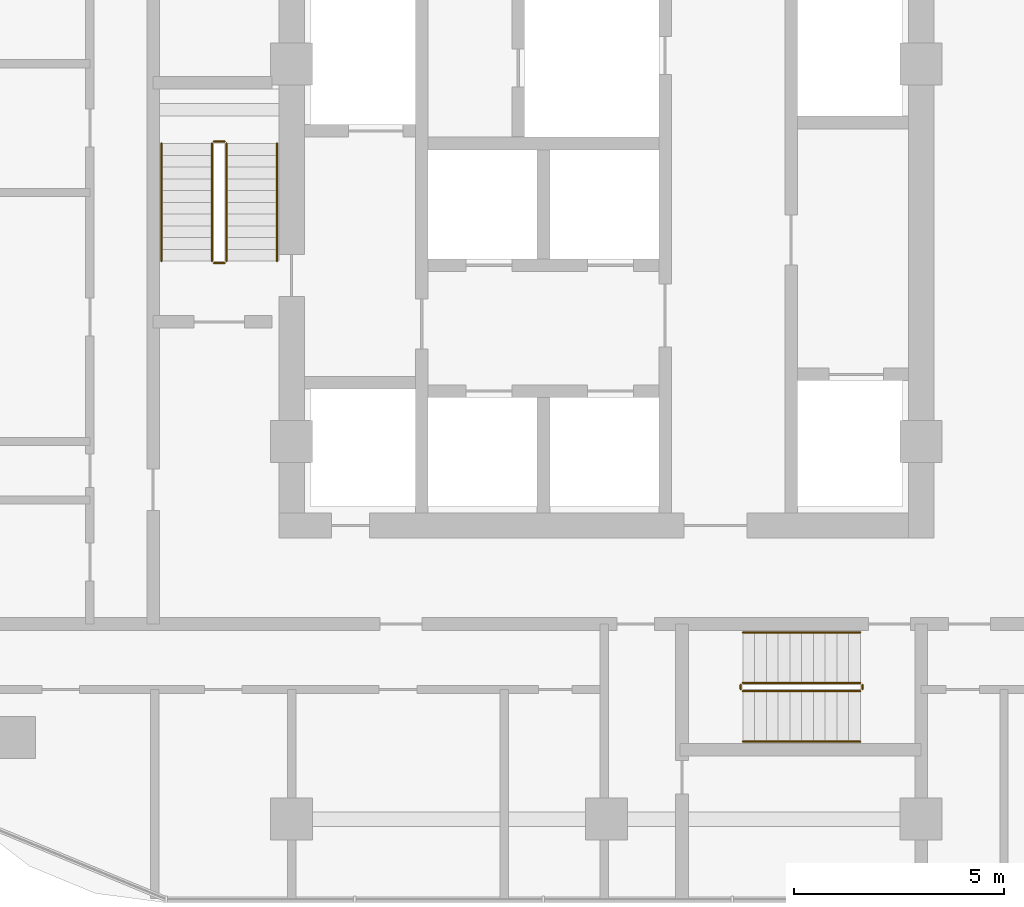
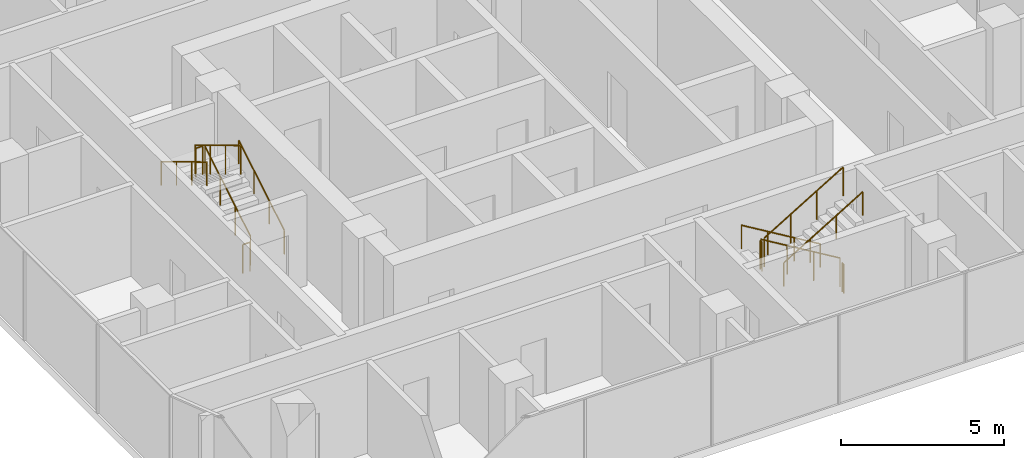
# One storey, part 32 of 32: 12 railings.
"""IFC4 building model written with IfcOpenShell, lengths in metres."""

from ifc_helpers import new_model, si_unit, direction, frame, origin, origin_2d, place, context, subcontext, project, spatial, circle, extrude, material, type_object, element, save


model = new_model("IFC4")

# Units and contexts
model_context = context("Model", 3, precision=1e-05, world=origin(), true_north=direction((0.0, 1.0)))
body_context = subcontext(model_context, "Body", "Model", "MODEL_VIEW")
ifc_project = project(units=[si_unit("LENGTHUNIT", "METRE"), si_unit("AREAUNIT", "SQUARE_METRE"), si_unit("VOLUMEUNIT", "CUBIC_METRE"), si_unit("PLANEANGLEUNIT", "RADIAN"), si_unit("MASSUNIT", "GRAM", prefix="KILO")], contexts=[model_context])

# Site, building, storey
site_placement = place(None, origin())
site = spatial("IfcSite", under=ifc_project, at=site_placement, CompositionType="ELEMENT")
building_placement = place(site_placement, origin())
building = spatial("IfcBuilding", under=site, at=building_placement, Name="Ogive Portal Towers", CompositionType="ELEMENT")
storey_placement = place(building_placement, frame((0.0, 0.0, 55.699951171875)))
storey = spatial("IfcBuildingStorey", under=building, at=storey_placement, Name="L12", CompositionType="ELEMENT", Elevation=55.699951171875)

# Railings
ifc_material_1 = material(Name="Stainless steel balustrade", Category="steel")
railing_type_1 = type_object("IfcRailingType", Name="INT-GUARD", PredefinedType="GUARDRAIL", material=ifc_material_1)
railing_1_placement = place(storey_placement, frame((127.449951171875, 30.800048828125, 0.168212890625)))
element("IfcRailing", 1, at=railing_1_placement, inside=storey, type_object=railing_type_1, Name="L12 ST-B1 stair guard 1", PredefinedType="GUARDRAIL", context=body_context, shape_type="SweptSolid", body=[
    extrude(circle(Radius=0.02392578125, at=origin_2d()), frame((0.0, 0.0, 1.076171875), z_axis=(0.0, 0.857242210791, 0.514913383045), x_axis=(-1.0, 0.0, 0.0)), (0.0, 0.0, 1.0), 3.266357421875),
    extrude(circle(Radius=0.02099609375, at=origin_2d()), origin(), (0.0, 0.0, 1.0), 1.052001953125),
    extrude(circle(Radius=0.02099609375, at=origin_2d()), frame((0.0, 0.933349609375, 0.560546875)), (0.0, 0.0, 1.0), 1.052001953125),
    extrude(circle(Radius=0.02099609375, at=origin_2d()), frame((0.0, 1.86669921875, 1.121337890625)), (0.0, 0.0, 1.0), 1.052001953125),
    extrude(circle(Radius=0.02099609375, at=origin_2d()), frame((0.0, 2.800048828125, 1.681884765625)), (0.0, 0.0, 1.0), 1.052001953125),
])
railing_2_placement = place(storey_placement, frame((127.39990234375, 33.64990234375, 1.85009765625)))
element("IfcRailing", 2, at=railing_2_placement, inside=storey, type_object=railing_type_1, Name="L12 ST-B1 stair guard 2", PredefinedType="GUARDRAIL", context=body_context, shape_type="SweptSolid", body=[
    extrude(circle(Radius=0.02392578125, at=origin_2d()), frame((0.0, 0.0, 1.076171875), z_axis=(-1.0, 0.0, 0.0), x_axis=(0.0, -1.0, 0.0)), (0.0, 0.0, 1.0), 0.25),
    extrude(circle(Radius=0.02099609375, at=origin_2d()), origin(), (0.0, 0.0, 1.0), 1.052001953125),
    extrude(circle(Radius=0.02099609375, at=origin_2d()), frame((-0.25, 0.0, 0.0)), (0.0, 0.0, 1.0), 1.052001953125),
])
railing_3_placement = place(storey_placement, frame((127.10009765625, 33.60009765625, 2.018310546875)))
element("IfcRailing", 3, at=railing_3_placement, inside=storey, type_object=railing_type_1, Name="L12 ST-B1 stair guard 3", PredefinedType="GUARDRAIL", context=body_context, shape_type="SweptSolid", body=[
    extrude(circle(Radius=0.02392578125, at=origin_2d()), frame((0.0, 0.0, 1.076171875), z_axis=(0.0, -0.857275202839, 0.514858452973), x_axis=(1.0, 0.0, 0.0)), (0.0, 0.0, 1.0), 3.26611328125),
    extrude(circle(Radius=0.02099609375, at=origin_2d()), origin(), (0.0, 0.0, 1.0), 1.052001953125),
    extrude(circle(Radius=0.02099609375, at=origin_2d()), frame((0.0, -0.933349609375, 0.560546875)), (0.0, 0.0, 1.0), 1.052001953125),
    extrude(circle(Radius=0.02099609375, at=origin_2d()), frame((0.0, -1.86669921875, 1.12109375)), (0.0, 0.0, 1.0), 1.052001953125),
    extrude(circle(Radius=0.02099609375, at=origin_2d()), frame((0.0, -2.800048828125, 1.681640625)), (0.0, 0.0, 1.0), 1.052001953125),
])
railing_4_placement = place(storey_placement, frame((127.39990234375, 30.75, 0.0)))
element("IfcRailing", 4, at=railing_4_placement, inside=storey, type_object=railing_type_1, Name="L12 ST-B1 stair guard 4", PredefinedType="GUARDRAIL", context=body_context, shape_type="SweptSolid", body=[
    extrude(circle(Radius=0.02392578125, at=origin_2d()), frame((0.0, 0.0, 1.076171875), z_axis=(-1.0, 0.0, 0.0), x_axis=(0.0, -1.0, 0.0)), (0.0, 0.0, 1.0), 0.25),
    extrude(circle(Radius=0.02099609375, at=origin_2d()), origin(), (0.0, 0.0, 1.0), 1.052001953125),
    extrude(circle(Radius=0.02099609375, at=origin_2d()), frame((-0.25, 0.0, 0.0)), (0.0, 0.0, 1.0), 1.052001953125),
])
railing_5_placement = place(storey_placement, frame((142.550048828125, 20.75, 0.168212890625)))
element("IfcRailing", 5, at=railing_5_placement, inside=storey, type_object=railing_type_1, Name="L12 ST-B2 stair guard 1", PredefinedType="GUARDRAIL", context=body_context, shape_type="SweptSolid", body=[
    extrude(circle(Radius=0.02392578125, at=origin_2d()), frame((0.0, 0.0, 1.076171875), z_axis=(-0.857242210791, 0.0, 0.514913383045), x_axis=(0.0, -1.0, 0.0)), (0.0, 0.0, 1.0), 3.266357421875),
    extrude(circle(Radius=0.02099609375, at=origin_2d()), origin(), (0.0, 0.0, 1.0), 1.052001953125),
    extrude(circle(Radius=0.02099609375, at=origin_2d()), frame((-0.933349609375, 0.0, 0.560546875)), (0.0, 0.0, 1.0), 1.052001953125),
    extrude(circle(Radius=0.02099609375, at=origin_2d()), frame((-1.86669921875, 0.0, 1.121337890625)), (0.0, 0.0, 1.0), 1.052001953125),
    extrude(circle(Radius=0.02099609375, at=origin_2d()), frame((-2.800048828125, 0.0, 1.681884765625)), (0.0, 0.0, 1.0), 1.052001953125),
])
railing_6_placement = place(storey_placement, frame((139.699951171875, 20.699951171875, 1.85009765625)))
element("IfcRailing", 6, at=railing_6_placement, inside=storey, type_object=railing_type_1, Name="L12 ST-B2 stair guard 2", PredefinedType="GUARDRAIL", context=body_context, shape_type="SweptSolid", body=[
    extrude(circle(Radius=0.02392578125, at=origin_2d()), frame((0.0, 0.0, 1.076171875), z_axis=(0.0, -1.0, 0.0), x_axis=(1.0, 0.0, 0.0)), (0.0, 0.0, 1.0), 0.099853515625),
    extrude(circle(Radius=0.02099609375, at=origin_2d()), origin(), (0.0, 0.0, 1.0), 1.052001953125),
    extrude(circle(Radius=0.02099609375, at=origin_2d()), frame((0.0, -0.099853515625, 0.0)), (0.0, 0.0, 1.0), 1.052001953125),
])
railing_7_placement = place(storey_placement, frame((139.75, 20.550048828125, 2.018310546875)))
element("IfcRailing", 7, at=railing_7_placement, inside=storey, type_object=railing_type_1, Name="L12 ST-B2 stair guard 3", PredefinedType="GUARDRAIL", context=body_context, shape_type="SweptSolid", body=[
    extrude(circle(Radius=0.02392578125, at=origin_2d()), frame((0.0, 0.0, 1.076171875), z_axis=(0.857275202839, 0.0, 0.514858452973), x_axis=(0.0, 1.0, 0.0)), (0.0, 0.0, 1.0), 3.26611328125),
    extrude(circle(Radius=0.02099609375, at=origin_2d()), origin(), (0.0, 0.0, 1.0), 1.052001953125),
    extrude(circle(Radius=0.02099609375, at=origin_2d()), frame((0.933349609375, 0.0, 0.560546875)), (0.0, 0.0, 1.0), 1.052001953125),
    extrude(circle(Radius=0.02099609375, at=origin_2d()), frame((1.86669921875, 0.0, 1.12109375)), (0.0, 0.0, 1.0), 1.052001953125),
    extrude(circle(Radius=0.02099609375, at=origin_2d()), frame((2.800048828125, 0.0, 1.681640625)), (0.0, 0.0, 1.0), 1.052001953125),
])
railing_8_placement = place(storey_placement, frame((142.60009765625, 20.699951171875, 0.0)))
element("IfcRailing", 8, at=railing_8_placement, inside=storey, type_object=railing_type_1, Name="L12 ST-B2 stair guard 4", PredefinedType="GUARDRAIL", context=body_context, shape_type="SweptSolid", body=[
    extrude(circle(Radius=0.02392578125, at=origin_2d()), frame((0.0, 0.0, 1.076171875), z_axis=(0.0, -1.0, 0.0), x_axis=(1.0, 0.0, 0.0)), (0.0, 0.0, 1.0), 0.099853515625),
    extrude(circle(Radius=0.02099609375, at=origin_2d()), origin(), (0.0, 0.0, 1.0), 1.052001953125),
    extrude(circle(Radius=0.02099609375, at=origin_2d()), frame((0.0, -0.099853515625, 0.0)), (0.0, 0.0, 1.0), 1.052001953125),
])
ifc_material_2 = material(Name="Stainless steel handrail", Category="steel")
railing_type_2 = type_object("IfcRailingType", Name="INT-HANDRAIL", PredefinedType="HANDRAIL", material=ifc_material_2)
railing_9_placement = place(storey_placement, frame((128.64990234375, 30.800048828125, 0.168212890625)))
element("IfcRailing", 9, at=railing_9_placement, inside=storey, type_object=railing_type_2, Name="L12 ST-B1 stair handrail 1", PredefinedType="HANDRAIL", context=body_context, shape_type="SweptSolid", body=[
    extrude(circle(Radius=0.02392578125, at=origin_2d()), frame((0.0, 0.0, 0.8759765625), z_axis=(0.0, 0.857242210791, 0.514913383045), x_axis=(-1.0, 0.0, 0.0)), (0.0, 0.0, 1.0), 3.266357421875),
    extrude(circle(Radius=0.02099609375, at=origin_2d()), origin(), (0.0, 0.0, 1.0), 0.851806640625),
    extrude(circle(Radius=0.02099609375, at=origin_2d()), frame((0.0, 0.933349609375, 0.560546875)), (0.0, 0.0, 1.0), 0.851806640625),
    extrude(circle(Radius=0.02099609375, at=origin_2d()), frame((0.0, 1.86669921875, 1.121337890625)), (0.0, 0.0, 1.0), 0.851806640625),
    extrude(circle(Radius=0.02099609375, at=origin_2d()), frame((0.0, 2.800048828125, 1.681884765625)), (0.0, 0.0, 1.0), 0.851806640625),
])
railing_10_placement = place(storey_placement, frame((125.89990234375, 33.60009765625, 2.018310546875)))
element("IfcRailing", 10, at=railing_10_placement, inside=storey, type_object=railing_type_2, Name="L12 ST-B1 stair handrail 2", PredefinedType="HANDRAIL", context=body_context, shape_type="SweptSolid", body=[
    extrude(circle(Radius=0.02392578125, at=origin_2d()), frame((0.0, 0.0, 0.8759765625), z_axis=(0.0, -0.857275202839, 0.514858452973), x_axis=(1.0, 0.0, 0.0)), (0.0, 0.0, 1.0), 3.26611328125),
    extrude(circle(Radius=0.02099609375, at=origin_2d()), origin(), (0.0, 0.0, 1.0), 0.851806640625),
    extrude(circle(Radius=0.02099609375, at=origin_2d()), frame((0.0, -0.933349609375, 0.560546875)), (0.0, 0.0, 1.0), 0.851806640625),
    extrude(circle(Radius=0.02099609375, at=origin_2d()), frame((0.0, -1.86669921875, 1.12109375)), (0.0, 0.0, 1.0), 0.851806640625),
    extrude(circle(Radius=0.02099609375, at=origin_2d()), frame((0.0, -2.800048828125, 1.681640625)), (0.0, 0.0, 1.0), 0.851806640625),
])
railing_11_placement = place(storey_placement, frame((142.550048828125, 21.949951171875, 0.168212890625)))
element("IfcRailing", 11, at=railing_11_placement, inside=storey, type_object=railing_type_2, Name="L12 ST-B2 stair handrail 1", PredefinedType="HANDRAIL", context=body_context, shape_type="SweptSolid", body=[
    extrude(circle(Radius=0.02392578125, at=origin_2d()), frame((0.0, 0.0, 0.8759765625), z_axis=(-0.857242210791, 0.0, 0.514913383045), x_axis=(0.0, -1.0, 0.0)), (0.0, 0.0, 1.0), 3.266357421875),
    extrude(circle(Radius=0.02099609375, at=origin_2d()), origin(), (0.0, 0.0, 1.0), 0.851806640625),
    extrude(circle(Radius=0.02099609375, at=origin_2d()), frame((-0.933349609375, 0.0, 0.560546875)), (0.0, 0.0, 1.0), 0.851806640625),
    extrude(circle(Radius=0.02099609375, at=origin_2d()), frame((-1.86669921875, 0.0, 1.121337890625)), (0.0, 0.0, 1.0), 0.851806640625),
    extrude(circle(Radius=0.02099609375, at=origin_2d()), frame((-2.800048828125, 0.0, 1.681884765625)), (0.0, 0.0, 1.0), 0.851806640625),
])
railing_12_placement = place(storey_placement, frame((139.75, 19.35009765625, 2.018310546875)))
element("IfcRailing", 12, at=railing_12_placement, inside=storey, type_object=railing_type_2, Name="L12 ST-B2 stair handrail 2", PredefinedType="HANDRAIL", context=body_context, shape_type="SweptSolid", body=[
    extrude(circle(Radius=0.02392578125, at=origin_2d()), frame((0.0, 0.0, 0.8759765625), z_axis=(0.857275202839, 0.0, 0.514858452973), x_axis=(0.0, 1.0, 0.0)), (0.0, 0.0, 1.0), 3.26611328125),
    extrude(circle(Radius=0.02099609375, at=origin_2d()), origin(), (0.0, 0.0, 1.0), 0.851806640625),
    extrude(circle(Radius=0.02099609375, at=origin_2d()), frame((0.933349609375, 0.0, 0.560546875)), (0.0, 0.0, 1.0), 0.851806640625),
    extrude(circle(Radius=0.02099609375, at=origin_2d()), frame((1.86669921875, 0.0, 1.12109375)), (0.0, 0.0, 1.0), 0.851806640625),
    extrude(circle(Radius=0.02099609375, at=origin_2d()), frame((2.800048828125, 0.0, 1.681640625)), (0.0, 0.0, 1.0), 0.851806640625),
])

save(model, "model.ifc")
